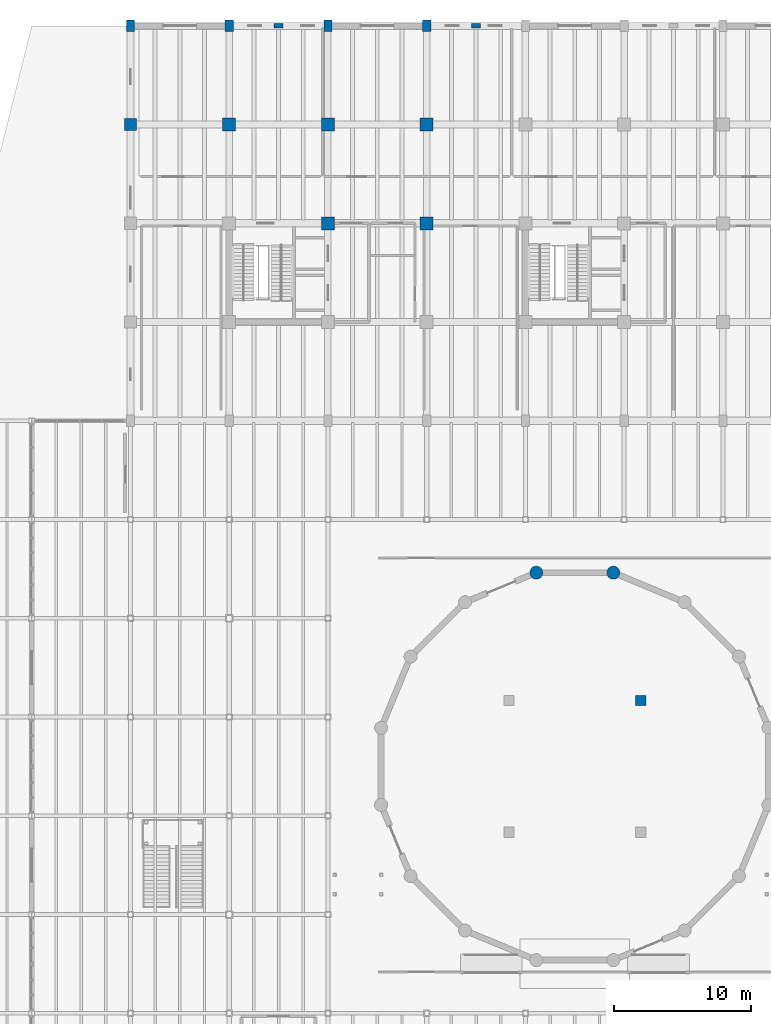
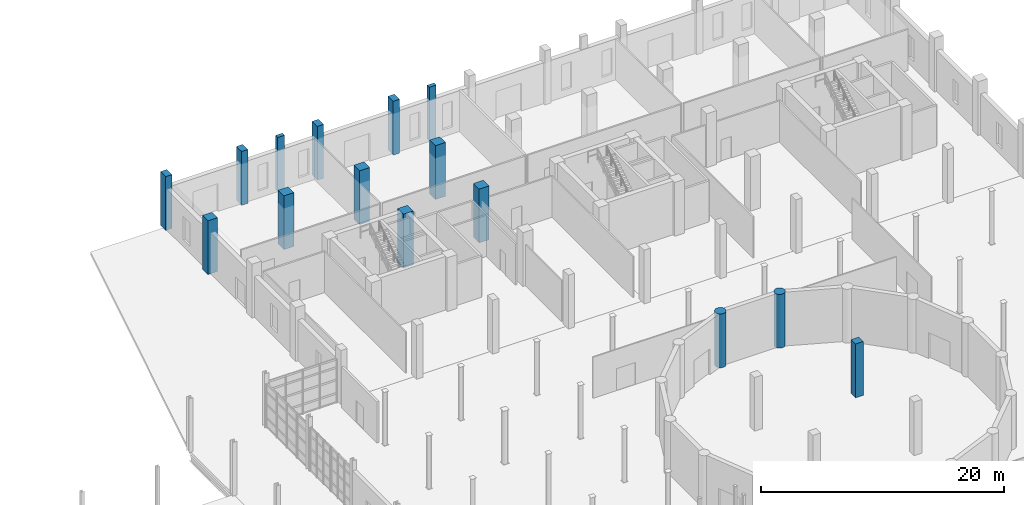
# One storey, part 11 of 79: 15 columns.
"""IFC4 building model written with IfcOpenShell, lengths in metres."""

import ifcopenshell
import ifcopenshell.guid

model = None  # the IFC model being written
_history = None  # IfcOwnerHistory: only IFC2X3 demands one
_inside = {}  # id of a spatial element -> (the spatial element, [elements in it])
_under = {}  # id of a project, library or spatial element -> (it, [spatial elements below it])
_declared = {}  # id of a project -> (the project, [libraries it declares])
_typed = {}  # id of a type object -> (the type object, [elements of that type])
_made_of = {}  # id of a material, layer set ... -> (it, [elements and type objects made of it])


def new_model(schema):
    """Start an empty IFC model of exactly this schema.

    Asked for "IFC4X3", IfcOpenShell would pick the latest addendum, in which some entities
    have other attributes; the version numbers below select the first issue.
    IFC2X3 requires an IfcOwnerHistory on every rooted entity: one is made here for all.
    """
    global model, _history
    if schema == "IFC4X3":
        model = ifcopenshell.file(schema_version=(4, 3, 0, 0))
    else:
        model = ifcopenshell.file(schema=schema)
    _inside.clear()
    _under.clear()
    _declared.clear()
    _typed.clear()
    _made_of.clear()
    _history = None
    if model.schema == "IFC2X3":
        org = make("IfcOrganization", Name="unknown")
        user = make(
            "IfcPersonAndOrganization",
            ThePerson=make("IfcPerson", FamilyName="unknown"),
            TheOrganization=org,
        )
        app = make(
            "IfcApplication",
            ApplicationDeveloper=org,
            Version="unknown",
            ApplicationFullName="unknown",
            ApplicationIdentifier="unknown",
        )
        _history = make(
            "IfcOwnerHistory",
            OwningUser=user,
            OwningApplication=app,
            ChangeAction="ADDED",
            CreationDate=0,
        )
    return model


def make(cls, **values):
    """One entity of the class cls with the attributes given. An attribute that is None is left unset."""
    return model.create_entity(
        cls, **{name: value for name, value in values.items() if value is not None}
    )


def rooted(cls, **values):
    """An entity with a GlobalId (a new one), such as an element, a storey or a relation."""
    return make(cls, GlobalId=ifcopenshell.guid.new(), OwnerHistory=_history, **values)


def si_unit(unit_type, name, prefix=None):
    """IfcSIUnit, for example si_unit("LENGTHUNIT", "METRE", prefix="MILLI")."""
    return make("IfcSIUnit", UnitType=unit_type, Prefix=prefix, Name=name)


def assignment(units):
    """IfcUnitAssignment: the units of a project."""
    return None if units is None else make("IfcUnitAssignment", Units=units)


def point(xyz):
    """IfcCartesianPoint."""
    return None if xyz is None else make("IfcCartesianPoint", Coordinates=xyz)


def direction(xyz):
    """IfcDirection."""
    return None if xyz is None else make("IfcDirection", DirectionRatios=xyz)


def frame(location, z_axis=None, x_axis=None):
    """IfcAxis2Placement3D, a coordinate frame: its origin and axes. An axis left out is left unset."""
    return make(
        "IfcAxis2Placement3D",
        Location=point(location),
        Axis=direction(z_axis),
        RefDirection=direction(x_axis),
    )


def frame_2d(location, x_axis=None):
    """IfcAxis2Placement2D, a coordinate frame in the plane: its origin and x axis."""
    return make(
        "IfcAxis2Placement2D", Location=point(location), RefDirection=direction(x_axis)
    )


def origin():
    """The frame at (0, 0, 0) with its axes left unset."""
    return frame((0.0, 0.0, 0.0))


def origin_2d():
    """The frame at (0, 0) in the plane with its x axis left unset."""
    return frame_2d((0.0, 0.0))


def place(relative_to, where):
    """IfcLocalPlacement: puts the frame where relative to a parent placement (None: the world)."""
    return make(
        "IfcLocalPlacement", PlacementRelTo=relative_to, RelativePlacement=where
    )


def context(
    kind, dimensions, precision=None, world=None, true_north=None, identifier=None
):
    """IfcGeometricRepresentationContext, for example the 3D "Model" context."""
    return make(
        "IfcGeometricRepresentationContext",
        ContextIdentifier=identifier,
        ContextType=kind,
        CoordinateSpaceDimension=dimensions,
        Precision=precision,
        WorldCoordinateSystem=world,
        TrueNorth=true_north,
    )


def subcontext(parent, identifier, kind, view, scale=None):
    """IfcGeometricRepresentationSubContext, for example "Body" below "Model"."""
    return make(
        "IfcGeometricRepresentationSubContext",
        ContextIdentifier=identifier,
        ContextType=kind,
        ParentContext=parent,
        TargetScale=scale,
        TargetView=view,
    )


def project(units=None, contexts=None):
    """IfcProject with its units and contexts."""
    return rooted(
        "IfcProject",
        Name="project",
        RepresentationContexts=contexts,
        UnitsInContext=assignment(units),
    )


def spatial(cls, under=None, at=None, **own):
    """A site, building, storey or space (cls), placed at a placement, below another one or the project."""
    s = rooted(cls, ObjectPlacement=at, **own)
    if under is not None:
        _under.setdefault(under.id(), (under, []))[1].append(s)
    return s


def profile(cls, at=None, kind="AREA", **sizes):
    """A parametric profile (cls). Its sizes go by their IFC names, for example OverallWidth=200.0."""
    return make(cls, ProfileType=kind, Position=at, **sizes)


def rectangle(**sizes):
    """IfcRectangleProfileDef."""
    return profile("IfcRectangleProfileDef", **sizes)


def circle(**sizes):
    """IfcCircleProfileDef."""
    return profile("IfcCircleProfileDef", **sizes)


def extrude(swept, where, along, depth):
    """IfcExtrudedAreaSolid: the profile swept, set in the frame where, extruded along a direction by depth."""
    return make(
        "IfcExtrudedAreaSolid",
        SweptArea=swept,
        Position=where,
        ExtrudedDirection=direction(along),
        Depth=depth,
    )


def shape(context_of_items, identifier, shape_type, items):
    """IfcShapeRepresentation: the items that make up one representation, for example the "Body"."""
    return make(
        "IfcShapeRepresentation",
        ContextOfItems=context_of_items,
        RepresentationIdentifier=identifier,
        RepresentationType=shape_type,
        Items=items,
    )


def material(Name=None, Category=None):
    """IfcMaterial."""
    return make("IfcMaterial", Name=Name, Category=Category)


def material_profile(
    of_material, cross_section, Name=None, Category=None, Priority=None
):
    """IfcMaterialProfile: a cross section and its material."""
    return make(
        "IfcMaterialProfile",
        Name=Name,
        Material=of_material,
        Profile=cross_section,
        Priority=Priority,
        Category=Category,
    )


def profile_set(profiles, Name=None, composite=None):
    """IfcMaterialProfileSet."""
    return make(
        "IfcMaterialProfileSet",
        Name=Name,
        MaterialProfiles=profiles,
        CompositeProfile=composite,
    )


def made_of(thing, what):
    """Note that an element or type object is made of a material, layer set ...; save() writes the relation."""
    if what is not None:
        _made_of.setdefault(what.id(), (what, []))[1].append(thing)
    return thing


def type_object(cls, material=None, **own):
    """A type object (cls), such as IfcWallType, which elements share."""
    return made_of(rooted(cls, **own), material)


def element(
    cls,
    number,
    at=None,
    inside=None,
    cuts=None,
    type_object=None,
    material=None,
    context=None,
    identifier="Body",
    shape_type=None,
    held_by="IfcProductDefinitionShape",
    body=None,
    shapes=None,
    **own,
):
    """One element of the class cls, such as IfcWall. Its Tag is "e" and its number.

    at: its placement. inside: the storey or other place that contains it. cuts: it is an
    opening in that element (IfcRelVoidsElement). A single representation is given by context,
    identifier, shape_type and body (its items); several are given by shapes. held_by: the class
    of the entity that holds the representations. save() writes the other relations.
    """
    e = rooted(cls, Tag="e%d" % number, ObjectPlacement=at, **own)
    if body is not None:
        shapes = [shape(context, identifier, shape_type, body)]
    if shapes is not None:
        e.Representation = make(held_by, Representations=shapes)
    if inside is not None:
        _inside.setdefault(inside.id(), (inside, []))[1].append(e)
    if cuts is not None:
        rooted(
            "IfcRelVoidsElement", RelatingBuildingElement=cuts, RelatedOpeningElement=e
        )
    if type_object is not None:
        _typed.setdefault(type_object.id(), (type_object, []))[1].append(e)
    return made_of(e, material)


def aggregate(whole, parts):
    """IfcRelAggregates: a whole, such as a stair, and the parts it consists of."""
    return rooted("IfcRelAggregates", RelatingObject=whole, RelatedObjects=parts)


def save(model, path):
    """Write the relations noted so far, then the file.

    IfcRelAggregates (storeys below a building ...), IfcRelContainedInSpatialStructure (elements
    in a storey), IfcRelDefinesByType, IfcRelAssociatesMaterial and IfcRelDeclares: one each for
    every whole, place, type object, material and project.
    """
    for whole, parts in _under.values():
        aggregate(whole, parts)
    for where, things in _inside.values():
        rooted(
            "IfcRelContainedInSpatialStructure",
            RelatedElements=things,
            RelatingStructure=where,
        )
    for kind, things in _typed.values():
        rooted("IfcRelDefinesByType", RelatedObjects=things, RelatingType=kind)
    for what, things in _made_of.values():
        rooted("IfcRelAssociatesMaterial", RelatedObjects=things, RelatingMaterial=what)
    for by, libraries in _declared.values():
        rooted("IfcRelDeclares", RelatingContext=by, RelatedDefinitions=libraries)
    model.write(path)


model = new_model("IFC4")

# Units and contexts
model_context = context("Model", 3, precision=1e-05, world=origin(), true_north=direction((0.0, 1.0)))
body_context = subcontext(model_context, "Body", "Model", "MODEL_VIEW")
ifc_project = project(units=[si_unit("LENGTHUNIT", "METRE"), si_unit("AREAUNIT", "SQUARE_METRE"), si_unit("VOLUMEUNIT", "CUBIC_METRE"), si_unit("PLANEANGLEUNIT", "RADIAN"), si_unit("MASSUNIT", "GRAM", prefix="KILO")], contexts=[model_context])

# Site, building, storey
site_placement = place(None, origin())
site = spatial("IfcSite", under=ifc_project, at=site_placement, CompositionType="ELEMENT")
building_placement = place(site_placement, origin())
building = spatial("IfcBuilding", under=site, at=building_placement, Name="Qiaolan Assembly House", CompositionType="ELEMENT")
storey_placement = place(building_placement, origin())
storey = spatial("IfcBuildingStorey", under=building, at=storey_placement, Name="L00", CompositionType="ELEMENT", Elevation=0.0)

# Columns
ifc_material_1 = material(Name="Concrete C50/60", Category="concrete")
ifc_material_profile_1 = material_profile(ifc_material_1, circle(Radius=0.47509765625, at=origin_2d()), Name="CIRC D950")
ifc_profile_set_1 = profile_set([ifc_material_profile_1], Name="Concrete C50/60")
column_type_1 = type_object("IfcColumnType", Name="COL-DRUM-D950", PredefinedType="COLUMN", material=ifc_profile_set_1)
for number, where, z_axis, x_axis, name in (
    (1, (71.209228515625, 75.3232421875, 0.0), (0.0, 0.0, 1.0), (1.0, 0.0, 0.0), "DC-01 chamber drum pier 4 L00"),
    (2, (65.5908203125, 75.3232421875, 0.0), (0.0, 0.0, 1.0), (1.0, 0.0, 0.0), "DC-01 chamber drum pier 5 L00"),
):
    element("IfcColumn", number, at=place(storey_placement, frame(where, z_axis=z_axis, x_axis=x_axis)), inside=storey, type_object=column_type_1, Name=name, PredefinedType="COLUMN", context=body_context, shape_type="SweptSolid", body=[
        extrude(circle(Radius=0.47509765625, at=origin_2d()), origin(), (0.0, 0.0, 1.0), 5.39990234375),
    ])
ifc_material_2 = material(Name="Concrete C45/55", Category="concrete")
ifc_material_profile_2 = material_profile(ifc_material_2, rectangle(XDim=0.75, YDim=0.75, at=origin_2d()), Name="RC 750x750")
ifc_profile_set_2 = profile_set([ifc_material_profile_2], Name="Concrete C45/55")
column_type_2 = type_object("IfcColumnType", Name="COL-RC-750", PredefinedType="COLUMN", material=ifc_profile_set_2)
column_1_placement = place(storey_placement, frame((73.199951171875, 66.0, 0.0), z_axis=(0.0, 0.0, 1.0), x_axis=(1.0, 0.0, 0.0)))
element("IfcColumn", 3, at=column_1_placement, inside=storey, type_object=column_type_2, Name="RC-06 chamber undercroft column 3 L00", PredefinedType="COLUMN", context=body_context, shape_type="SweptSolid", body=[
    extrude(rectangle(XDim=0.75, YDim=0.75, at=origin_2d()), origin(), (0.0, 0.0, 1.0), 5.39990234375),
])
ifc_material_profile_3 = material_profile(ifc_material_1, rectangle(XDim=0.60009765625, YDim=0.85009765625, at=origin_2d()), Name="RC 850x600")
ifc_profile_set_3 = profile_set([ifc_material_profile_3], Name="Concrete C50/60")
column_type_3 = type_object("IfcColumnType", Name="COL-RC-850x600", PredefinedType="COLUMN", material=ifc_profile_set_3)
for number, where, z_axis, x_axis, name in (
    (4, (36.0, 115.199951171875, 0.0), (0.0, 0.0, 1.0), (1.0, 0.0, 0.0), "RC-13 column NW L00"),
    (5, (43.199951171875, 115.199951171875, 0.0), (0.0, 0.0, 1.0), (1.0, 0.0, 0.0), "RC-13 column NW L00"),
    (6, (50.39990234375, 115.199951171875, 0.0), (0.0, 0.0, 1.0), (1.0, 0.0, 0.0), "RC-13 column NW L00"),
    (7, (57.60009765625, 115.199951171875, 0.0), (0.0, 0.0, 1.0), (1.0, 0.0, 0.0), "RC-13 column NW L00"),
):
    element("IfcColumn", number, at=place(storey_placement, frame(where, z_axis=z_axis, x_axis=x_axis)), inside=storey, type_object=column_type_3, Name=name, PredefinedType="COLUMN", context=body_context, shape_type="SweptSolid", body=[
        extrude(rectangle(XDim=0.60009765625, YDim=0.85009765625, at=origin_2d()), origin(), (0.0, 0.0, 1.0), 5.39990234375),
    ])
ifc_material_profile_4 = material_profile(ifc_material_1, rectangle(XDim=0.89990234375, YDim=0.89990234375, at=origin_2d()), Name="RC 900x900")
ifc_profile_set_4 = profile_set([ifc_material_profile_4], Name="Concrete C50/60")
column_type_4 = type_object("IfcColumnType", Name="COL-RC-900", PredefinedType="COLUMN", material=ifc_profile_set_4)
column_2_placement = place(storey_placement, frame((36.0, 108.0, 0.0), z_axis=(0.0, 0.0, 1.0), x_axis=(1.0, 0.0, 0.0)))
element("IfcColumn", 8, at=column_2_placement, inside=storey, type_object=column_type_4, Name="RC-03 column NW L00", PredefinedType="COLUMN", context=body_context, shape_type="SweptSolid", body=[
    extrude(rectangle(XDim=0.89990234375, YDim=0.89990234375, at=origin_2d()), origin(), (0.0, 0.0, 1.0), 5.39990234375),
])
ifc_material_profile_5 = material_profile(ifc_material_1, rectangle(XDim=0.949951171875, YDim=0.949951171875, at=origin_2d()), Name="RC 950x950")
ifc_profile_set_5 = profile_set([ifc_material_profile_5], Name="Concrete C50/60")
column_type_5 = type_object("IfcColumnType", Name="COL-RC-950", PredefinedType="COLUMN", material=ifc_profile_set_5)
for number, where, z_axis, x_axis, name in (
    (9, (43.199951171875, 108.0, 0.0), (0.0, 0.0, 1.0), (1.0, 0.0, 0.0), "RC-02 column NW L00"),
    (10, (50.39990234375, 100.800048828125, 0.0), (0.0, 0.0, 1.0), (1.0, 0.0, 0.0), "RC-02 column NW L00"),
    (11, (50.39990234375, 108.0, 0.0), (0.0, 0.0, 1.0), (1.0, 0.0, 0.0), "RC-02 column NW L00"),
    (12, (57.60009765625, 100.800048828125, 0.0), (0.0, 0.0, 1.0), (1.0, 0.0, 0.0), "RC-02 column NW L00"),
    (13, (57.60009765625, 108.0, 0.0), (0.0, 0.0, 1.0), (1.0, 0.0, 0.0), "RC-02 column NW L00"),
):
    element("IfcColumn", number, at=place(storey_placement, frame(where, z_axis=z_axis, x_axis=x_axis)), inside=storey, type_object=column_type_5, Name=name, PredefinedType="COLUMN", context=body_context, shape_type="SweptSolid", body=[
        extrude(rectangle(XDim=0.949951171875, YDim=0.949951171875, at=origin_2d()), origin(), (0.0, 0.0, 1.0), 5.39990234375),
    ])
ifc_material_3 = material(Name="Precast concrete C45/55", Category="concrete")
ifc_material_profile_6 = material_profile(ifc_material_3, rectangle(XDim=0.64990234375, YDim=0.35009765625, at=origin_2d()), Name="PIL 650x350")
ifc_profile_set_6 = profile_set([ifc_material_profile_6], Name="Precast concrete C45/55")
column_type_6 = type_object("IfcColumnType", Name="PIL-NW-650x350", PredefinedType="PILASTER", material=ifc_profile_set_6)
for number, where, z_axis, x_axis, name in (
    (14, (46.800048828125, 115.199951171875, 0.0), (0.0, 0.0, 1.0), (1.0, 0.0, 0.0), "PL-02 neoclassical pilaster NW L00"),
    (15, (61.199951171875, 115.199951171875, 0.0), (0.0, 0.0, 1.0), (1.0, 0.0, 0.0), "PL-02 neoclassical pilaster NW L00"),
):
    element("IfcColumn", number, at=place(storey_placement, frame(where, z_axis=z_axis, x_axis=x_axis)), inside=storey, type_object=column_type_6, Name=name, PredefinedType="PILASTER", context=body_context, shape_type="SweptSolid", body=[
        extrude(rectangle(XDim=0.64990234375, YDim=0.35009765625, at=origin_2d()), origin(), (0.0, 0.0, 1.0), 5.39990234375),
    ])

save(model, "model.ifc")
